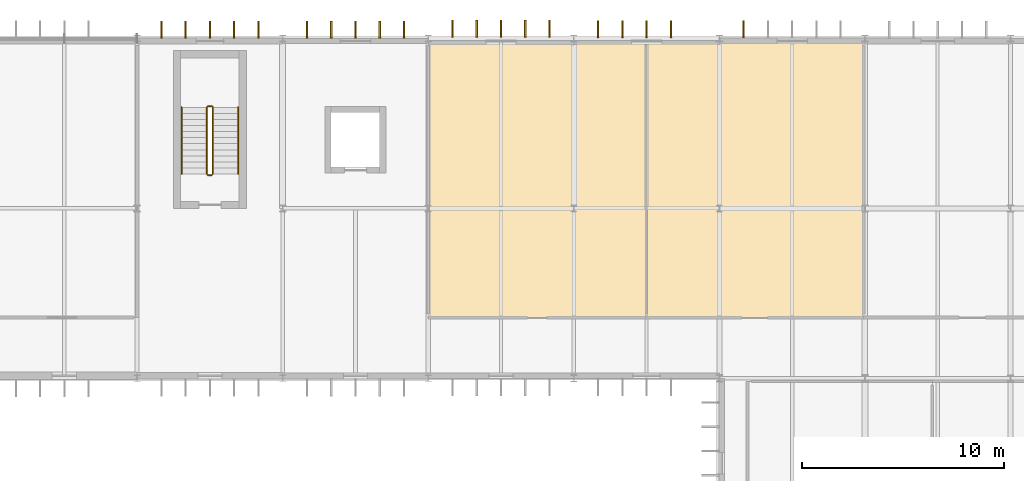
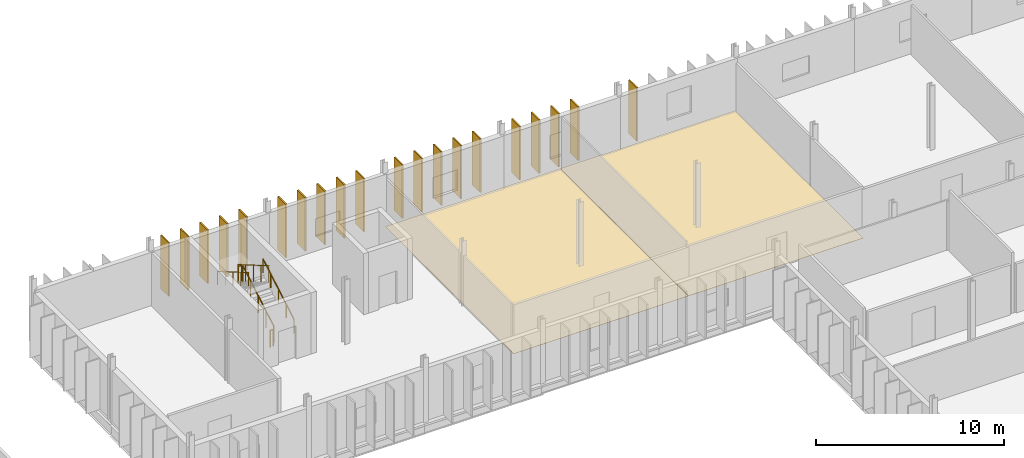
# One storey, part 96 of 99: 20 shading devices, 6 railings, 2 coverings.
"""IFC4 building model written with IfcOpenShell, lengths in metres."""

from ifc_helpers import new_model, si_unit, direction, frame, origin, origin_2d, place, context, subcontext, project, spatial, polyline, rectangle, circle, outline, extrude, material, layer, layer_set, type_object, element, save


model = new_model("IFC4")

# Units and contexts
model_context = context("Model", 3, precision=1e-05, world=origin(), true_north=direction((0.0, 1.0)))
body_context = subcontext(model_context, "Body", "Model", "MODEL_VIEW")
ifc_project = project(units=[si_unit("LENGTHUNIT", "METRE"), si_unit("AREAUNIT", "SQUARE_METRE"), si_unit("VOLUMEUNIT", "CUBIC_METRE"), si_unit("PLANEANGLEUNIT", "RADIAN"), si_unit("MASSUNIT", "GRAM", prefix="KILO")], contexts=[model_context])

# Site, building, storey
site_placement = place(None, origin())
site = spatial("IfcSite", under=ifc_project, at=site_placement, CompositionType="ELEMENT")
building_placement = place(site_placement, origin())
building = spatial("IfcBuilding", under=site, at=building_placement, Name="Qelthora Terrace Specialist Clinic", CompositionType="ELEMENT")
storey_placement = place(building_placement, frame((0.0, 0.0, 9.0)))
storey = spatial("IfcBuildingStorey", under=building, at=storey_placement, Name="L02", CompositionType="ELEMENT", Elevation=9.0)

# Coverings
ifc_material_1 = material(Name="Antimicrobial clinical linoleum flooring", Category="other")
ifc_layer = layer(ifc_material_1, 0.011962890625)
ifc_layer_set = layer_set([ifc_layer], Name="Antimicrobial clinical linoleum flooring")
covering_type = type_object("IfcCoveringType", Name="COV-FLR-LINO-12", PredefinedType="FLOORING", material=ifc_layer_set)
covering_1_placement = place(storey_placement, origin())
element("IfcCovering", 1, at=covering_1_placement, inside=storey, type_object=covering_type, Name="Clinical Trials Specimen Lab L02-61 resilient linoleum flooring", PredefinedType="FLOORING", context=body_context, shape_type="SweptSolid", body=[
    extrude(outline(polyline([(89.96240234375, 95.39990234375), (79.199951171875, 95.39990234375), (79.199951171875, 109.070068359375), (89.96240234375, 109.070068359375), (89.96240234375, 95.39990234375)])), origin(), (0.0, 0.0, 1.0), 0.011962890625),
])
covering_2_placement = place(storey_placement, origin())
element("IfcCovering", 2, at=covering_2_placement, inside=storey, type_object=covering_type, Name="Flow Cytometry Diagnostics Lab L02-62 resilient linoleum flooring", PredefinedType="FLOORING", context=body_context, shape_type="SweptSolid", body=[
    extrude(outline(polyline([(100.72509765625, 95.39990234375), (89.967529296875, 95.39990234375), (89.967529296875, 109.070068359375), (100.72509765625, 109.070068359375), (100.72509765625, 95.39990234375)])), origin(), (0.0, 0.0, 1.0), 0.011962890625),
])

# Railings
ifc_material_2 = material(Name="Steel S355", Category="steel")
railing_type_1 = type_object("IfcRailingType", Name="RAL-GD-1100-S355", PredefinedType="GUARDRAIL", material=ifc_material_2)
railing_1_placement = place(storey_placement, frame((68.550048828125, 102.5, 0.175048828125)))
element("IfcRailing", 3, at=railing_1_placement, inside=storey, type_object=railing_type_1, Name="L02 ST-07 stair guard 1", PredefinedType="GUARDRAIL", context=body_context, shape_type="SweptSolid", body=[
    extrude(circle(Radius=0.02392578125, at=origin_2d()), frame((0.0, 0.0, 1.076171875), z_axis=(0.0, 0.863776583165, 0.503874998761), x_axis=(-1.0, 0.0, 0.0)), (0.0, 0.0, 1.0), 3.820556640625),
    extrude(circle(Radius=0.02099609375, at=origin_2d()), origin(), (0.0, 0.0, 1.0), 1.052001953125),
    extrude(circle(Radius=0.02099609375, at=origin_2d()), frame((0.0, 0.824951171875, 0.481201171875)), (0.0, 0.0, 1.0), 1.052001953125),
    extrude(circle(Radius=0.02099609375, at=origin_2d()), frame((0.0, 1.64990234375, 0.96240234375)), (0.0, 0.0, 1.0), 1.052001953125),
    extrude(circle(Radius=0.02099609375, at=origin_2d()), frame((0.0, 2.47509765625, 1.44384765625)), (0.0, 0.0, 1.0), 1.052001953125),
    extrude(circle(Radius=0.02099609375, at=origin_2d()), frame((0.0, 3.300048828125, 1.925048828125)), (0.0, 0.0, 1.0), 1.052001953125),
])
railing_2_placement = place(storey_placement, frame((68.5, 105.85009765625, 2.10009765625)))
element("IfcRailing", 4, at=railing_2_placement, inside=storey, type_object=railing_type_1, Name="L02 ST-07 stair guard 2", PredefinedType="GUARDRAIL", context=body_context, shape_type="SweptSolid", body=[
    extrude(circle(Radius=0.02392578125, at=origin_2d()), frame((0.0, 0.0, 1.076171875), z_axis=(-1.0, 0.0, 0.0), x_axis=(0.0, -1.0, 0.0)), (0.0, 0.0, 1.0), 0.199951171875),
    extrude(circle(Radius=0.02099609375, at=origin_2d()), origin(), (0.0, 0.0, 1.0), 1.052001953125),
    extrude(circle(Radius=0.02099609375, at=origin_2d()), frame((-0.199951171875, 0.0, 0.0)), (0.0, 0.0, 1.0), 1.052001953125),
])
railing_3_placement = place(storey_placement, frame((68.25, 105.800048828125, 2.27490234375)))
element("IfcRailing", 5, at=railing_3_placement, inside=storey, type_object=railing_type_1, Name="L02 ST-07 stair guard 3", PredefinedType="GUARDRAIL", context=body_context, shape_type="SweptSolid", body=[
    extrude(circle(Radius=0.02392578125, at=origin_2d()), frame((0.0, 0.0, 1.076171875), z_axis=(0.0, -0.863776583165, 0.503874998761), x_axis=(1.0, 0.0, 0.0)), (0.0, 0.0, 1.0), 3.820556640625),
    extrude(circle(Radius=0.02099609375, at=origin_2d()), origin(), (0.0, 0.0, 1.0), 1.052001953125),
    extrude(circle(Radius=0.02099609375, at=origin_2d()), frame((0.0, -0.824951171875, 0.481201171875)), (0.0, 0.0, 1.0), 1.052001953125),
    extrude(circle(Radius=0.02099609375, at=origin_2d()), frame((0.0, -1.64990234375, 0.96240234375)), (0.0, 0.0, 1.0), 1.052001953125),
    extrude(circle(Radius=0.02099609375, at=origin_2d()), frame((0.0, -2.47509765625, 1.44384765625)), (0.0, 0.0, 1.0), 1.052001953125),
    extrude(circle(Radius=0.02099609375, at=origin_2d()), frame((0.0, -3.300048828125, 1.925048828125)), (0.0, 0.0, 1.0), 1.052001953125),
])
railing_4_placement = place(storey_placement, frame((68.5, 102.449951171875, 0.0)))
element("IfcRailing", 6, at=railing_4_placement, inside=storey, type_object=railing_type_1, Name="L02 ST-07 stair guard 4", PredefinedType="GUARDRAIL", context=body_context, shape_type="SweptSolid", body=[
    extrude(circle(Radius=0.02392578125, at=origin_2d()), frame((0.0, 0.0, 1.076171875), z_axis=(-1.0, 0.0, 0.0), x_axis=(0.0, -1.0, 0.0)), (0.0, 0.0, 1.0), 0.199951171875),
    extrude(circle(Radius=0.02099609375, at=origin_2d()), origin(), (0.0, 0.0, 1.0), 1.052001953125),
    extrude(circle(Radius=0.02099609375, at=origin_2d()), frame((-0.199951171875, 0.0, 0.0)), (0.0, 0.0, 1.0), 1.052001953125),
])
railing_type_2 = type_object("IfcRailingType", Name="RAL-HR-900-S355", PredefinedType="HANDRAIL", material=ifc_material_2)
railing_5_placement = place(storey_placement, frame((69.800048828125, 102.5, 0.367919921875)))
element("IfcRailing", 7, at=railing_5_placement, inside=storey, type_object=railing_type_2, Name="L02 ST-07 stair handrail 1", PredefinedType="HANDRAIL", context=body_context, shape_type="SweptSolid", body=[
    extrude(circle(Radius=0.02392578125, at=origin_2d()), frame((0.0, 0.0, 0.8759765625), z_axis=(0.0, 0.863776583165, 0.503874998761), x_axis=(-1.0, 0.0, 0.0)), (0.0, 0.0, 1.0), 3.820556640625),
    extrude(circle(Radius=0.02099609375, at=origin_2d()), origin(), (0.0, 0.0, 1.0), 0.851806640625),
    extrude(circle(Radius=0.02099609375, at=origin_2d()), frame((0.0, 0.824951171875, 0.481201171875)), (0.0, 0.0, 1.0), 0.851806640625),
    extrude(circle(Radius=0.02099609375, at=origin_2d()), frame((0.0, 1.64990234375, 0.96240234375)), (0.0, 0.0, 1.0), 0.851806640625),
    extrude(circle(Radius=0.02099609375, at=origin_2d()), frame((0.0, 2.47509765625, 1.44384765625)), (0.0, 0.0, 1.0), 0.851806640625),
    extrude(circle(Radius=0.02099609375, at=origin_2d()), frame((0.0, 3.300048828125, 1.925048828125)), (0.0, 0.0, 1.0), 0.851806640625),
])
railing_6_placement = place(storey_placement, frame((67.0, 105.800048828125, 2.468017578125)))
element("IfcRailing", 8, at=railing_6_placement, inside=storey, type_object=railing_type_2, Name="L02 ST-07 stair handrail 2", PredefinedType="HANDRAIL", context=body_context, shape_type="SweptSolid", body=[
    extrude(circle(Radius=0.02392578125, at=origin_2d()), frame((0.0, 0.0, 0.8759765625), z_axis=(0.0, -0.863776583165, 0.503874998761), x_axis=(1.0, 0.0, 0.0)), (0.0, 0.0, 1.0), 3.820556640625),
    extrude(circle(Radius=0.02099609375, at=origin_2d()), origin(), (0.0, 0.0, 1.0), 0.851806640625),
    extrude(circle(Radius=0.02099609375, at=origin_2d()), frame((0.0, -0.824951171875, 0.481201171875)), (0.0, 0.0, 1.0), 0.851806640625),
    extrude(circle(Radius=0.02099609375, at=origin_2d()), frame((0.0, -1.64990234375, 0.96240234375)), (0.0, 0.0, 1.0), 0.851806640625),
    extrude(circle(Radius=0.02099609375, at=origin_2d()), frame((0.0, -2.47509765625, 1.44384765625)), (0.0, 0.0, 1.0), 0.851806640625),
    extrude(circle(Radius=0.02099609375, at=origin_2d()), frame((0.0, -3.300048828125, 1.925048828125)), (0.0, 0.0, 1.0), 0.851806640625),
])

# Shading devices
ifc_material_3 = material(Name="Glulam timber GL28h", Category="wood")
shading_device_type = type_object("IfcShadingDeviceType", Name="SHD-FIN-850", PredefinedType="USERDEFINED", material=ifc_material_3)
for number, where, z_axis, x_axis, name in (
    (9, (66.0, 109.64501953125, 0.0), (0.0, 0.0, 1.0), (0.0, 1.0, 0.0), "Exterior solar shading fin FIN-1229"),
    (10, (67.199951171875, 109.64501953125, 0.0), (0.0, 0.0, 1.0), (0.0, 1.0, 0.0), "Exterior solar shading fin FIN-1230"),
    (11, (68.39990234375, 109.64501953125, 0.0), (0.0, 0.0, 1.0), (0.0, 1.0, 0.0), "Exterior solar shading fin FIN-1231"),
    (12, (69.60009765625, 109.64501953125, 0.0), (0.0, 0.0, 1.0), (0.0, 1.0, 0.0), "Exterior solar shading fin FIN-1232"),
    (13, (70.800048828125, 109.64501953125, 0.0), (0.0, 0.0, 1.0), (0.0, 1.0, 0.0), "Exterior solar shading fin FIN-1233"),
    (14, (73.199951171875, 109.635009765625, 0.0), (0.0, 0.0, 1.0), (0.0, 1.0, 0.0), "Exterior solar shading fin FIN-1234"),
    (15, (74.39990234375, 109.635009765625, 0.0), (0.0, 0.0, 1.0), (0.0, 1.0, 0.0), "Exterior solar shading fin FIN-1235"),
    (16, (75.60009765625, 109.635009765625, 0.0), (0.0, 0.0, 1.0), (0.0, 1.0, 0.0), "Exterior solar shading fin FIN-1236"),
    (17, (76.800048828125, 109.635009765625, 0.0), (0.0, 0.0, 1.0), (0.0, 1.0, 0.0), "Exterior solar shading fin FIN-1237"),
    (18, (78.0, 109.635009765625, 0.0), (0.0, 0.0, 1.0), (0.0, 1.0, 0.0), "Exterior solar shading fin FIN-1238"),
    (19, (80.39990234375, 109.695068359375, 0.0), (0.0, 0.0, 1.0), (0.0, 1.0, 0.0), "Exterior solar shading fin FIN-1239"),
    (20, (81.60009765625, 109.695068359375, 0.0), (0.0, 0.0, 1.0), (0.0, 1.0, 0.0), "Exterior solar shading fin FIN-1240"),
    (21, (82.800048828125, 109.695068359375, 0.0), (0.0, 0.0, 1.0), (0.0, 1.0, 0.0), "Exterior solar shading fin FIN-1241"),
    (22, (84.0, 109.695068359375, 0.0), (0.0, 0.0, 1.0), (0.0, 1.0, 0.0), "Exterior solar shading fin FIN-1242"),
    (23, (85.199951171875, 109.695068359375, 0.0), (0.0, 0.0, 1.0), (0.0, 1.0, 0.0), "Exterior solar shading fin FIN-1243"),
    (24, (87.60009765625, 109.6650390625, 0.0), (0.0, 0.0, 1.0), (0.0, 1.0, 0.0), "Exterior solar shading fin FIN-1244"),
    (25, (88.800048828125, 109.6650390625, 0.0), (0.0, 0.0, 1.0), (0.0, 1.0, 0.0), "Exterior solar shading fin FIN-1245"),
    (26, (90.0, 109.6650390625, 0.0), (0.0, 0.0, 1.0), (0.0, 1.0, 0.0), "Exterior solar shading fin FIN-1246"),
    (27, (91.199951171875, 109.6650390625, 0.0), (0.0, 0.0, 1.0), (0.0, 1.0, 0.0), "Exterior solar shading fin FIN-1247"),
    (28, (94.800048828125, 109.655029296875, 0.0), (0.0, 0.0, 1.0), (0.0, 1.0, 0.0), "Exterior solar shading fin FIN-1248"),
):
    element("IfcShadingDevice", number, at=place(storey_placement, frame(where, z_axis=z_axis, x_axis=x_axis)), inside=storey, type_object=shading_device_type, Name=name, ObjectType="FIN", PredefinedType="USERDEFINED", context=body_context, shape_type="SweptSolid", body=[
        extrude(rectangle(XDim=0.85009765625, YDim=0.080078125, at=origin_2d()), origin(), (0.0, 0.0, 1.0), 3.48193359375),
    ])

save(model, "model.ifc")
